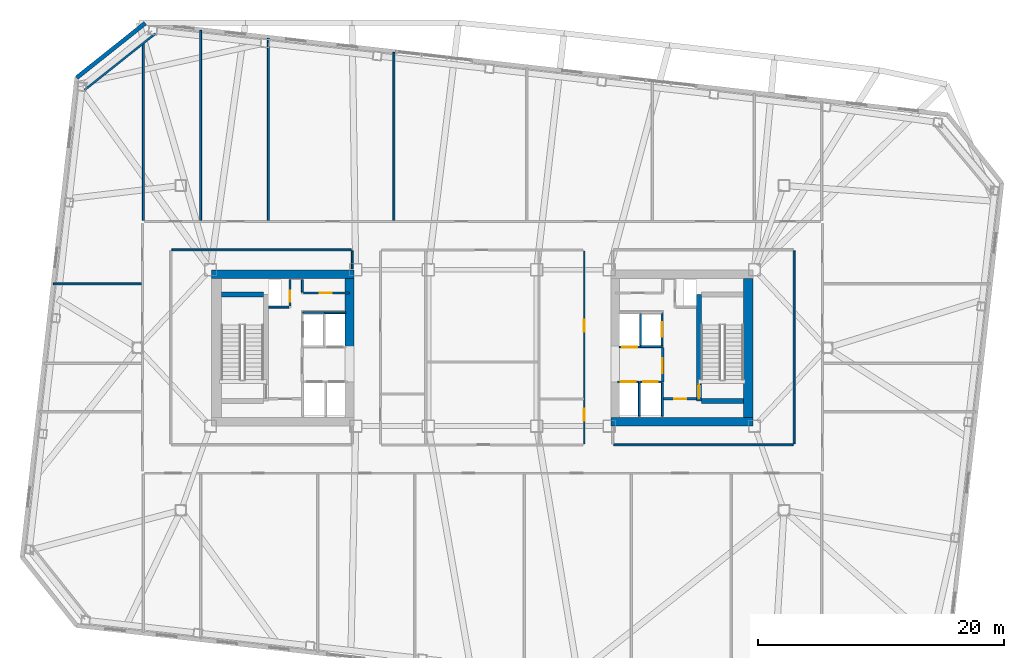
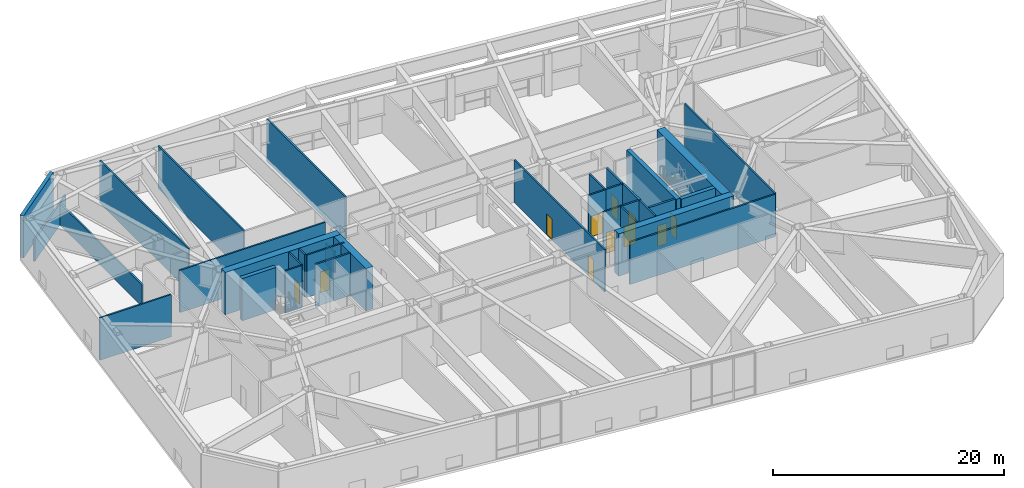
# One storey, part 12 of 19: 35 walls, 11 doors, 11 openings.
"""IFC4 building model written with IfcOpenShell, lengths in metres."""

from ifc_helpers import new_model, si_unit, direction, frame, frame_2d, origin, place, context, subcontext, project, spatial, rectangle, extrude, material, layer, layer_set, type_object, element, fill, save


model = new_model("IFC4")

# Units and contexts
model_context = context("Model", 3, precision=1e-05, world=origin(), true_north=direction((0.0, 1.0)))
body_context = subcontext(model_context, "Body", "Model", "MODEL_VIEW")
ifc_project = project(units=[si_unit("LENGTHUNIT", "METRE"), si_unit("AREAUNIT", "SQUARE_METRE"), si_unit("VOLUMEUNIT", "CUBIC_METRE"), si_unit("PLANEANGLEUNIT", "RADIAN"), si_unit("MASSUNIT", "GRAM", prefix="KILO")], contexts=[model_context])

# Site, building, storey
site_placement = place(None, origin())
site = spatial("IfcSite", under=ifc_project, at=site_placement, CompositionType="ELEMENT")
building_placement = place(site_placement, origin())
building = spatial("IfcBuilding", under=site, at=building_placement, Name="Tavrogorsk Clinical Tower", CompositionType="ELEMENT")
storey_placement = place(building_placement, frame((0.0, 0.0, 141.39990234375)))
storey = spatial("IfcBuildingStorey", under=building, at=storey_placement, Name="L32", CompositionType="ELEMENT", Elevation=141.39990234375)

# Wall, opening, door
ifc_material_1 = material(Name="Concrete B60", Category="concrete")
ifc_layer_1 = layer(ifc_material_1, 0.199951171875)
ifc_layer_set_1 = layer_set([ifc_layer_1], Name="Concrete B60")
wall_type_1 = type_object("IfcWallType", Name="CoreFireWall_200", PredefinedType="SOLIDWALL", material=ifc_layer_set_1)
wall_1_placement = place(storey_placement, frame((14.719970703125, -4.139892578125, 0.0), z_axis=(0.0, 0.0, 1.0), x_axis=(1.0, 0.0, 0.0)))
wall_1 = element("IfcWall", 1, at=wall_1_placement, inside=storey, type_object=wall_type_1, Name="L32 Core East South Core Room Fire Wall", PredefinedType="SOLIDWALL", context=body_context, shape_type="SweptSolid", body=[
    extrude(rectangle(XDim=2.659912109375, YDim=0.199951171875, at=frame_2d((1.330078125, 0.0))), origin(), (0.0, 0.0, 1.0), 4.47998046875),
])
opening_1_placement = place(wall_1_placement, frame((0.8798828125, 0.0, 0.0)))
opening_1 = element("IfcOpeningElement", 2, at=opening_1_placement, cuts=wall_1, Name="Opening ID-02", PredefinedType="OPENING", context=body_context, shape_type="SweptSolid", body=[
    extrude(rectangle(XDim=0.949951171875, YDim=2.199951171875, at=frame_2d((0.47509765625, 1.10009765625))), frame((0.0, 0.10986328125, 0.0), z_axis=(0.0, -1.0, 0.0), x_axis=(1.0, 0.0, 0.0)), (0.0, 0.0, 1.0), 0.219970703125),
])
ifc_material_2 = material(Name="Laminated timber leaf on aluminium frame", Category="wood")
door_type_1 = type_object("IfcDoorType", Name="InteriorDoor_ID02_950", OperationType="NOTDEFINED", PredefinedType="DOOR", material=ifc_material_2)
door_1_placement = place(opening_1_placement, origin())
door_1 = element("IfcDoor", 3, at=door_1_placement, inside=storey, type_object=door_type_1, Name="L32 Core East South Core Room Door", OperationType="SINGLE_SWING_RIGHT", OverallHeight=2.199951171875, OverallWidth=0.949951171875, PredefinedType="DOOR", context=body_context, shape_type="SweptSolid", body=[
    extrude(rectangle(XDim=0.949951171875, YDim=2.199951171875, at=frame_2d((0.47509765625, 1.10009765625))), frame((0.0, 0.02490234375, 0.0), z_axis=(0.0, -1.0, 0.0), x_axis=(1.0, 0.0, 0.0)), (0.0, 0.0, 1.0), 0.050048828125),
])
fill(opening_1, door_1)

wall_2_placement = place(storey_placement, frame((14.639892578125, -2.780029296875, 0.0), z_axis=(0.0, 0.0, 1.0), x_axis=(0.0, 1.0, 0.0)))
wall_2 = element("IfcWall", 4, at=wall_2_placement, inside=storey, type_object=wall_type_1, Name="L32 Core East Firefighting Lobby Fire Wall", PredefinedType="SOLIDWALL", context=body_context, shape_type="SweptSolid", body=[
    extrude(rectangle(XDim=2.820068359375, YDim=0.199951171875, at=frame_2d((1.41015625, 0.0))), origin(), (0.0, 0.0, 1.0), 4.47998046875),
])
opening_2_placement = place(wall_2_placement, frame((0.72998046875, 0.0, 0.0)))
opening_2 = element("IfcOpeningElement", 5, at=opening_2_placement, cuts=wall_2, Name="Opening FD-01", PredefinedType="OPENING", context=body_context, shape_type="SweptSolid", body=[
    extrude(rectangle(XDim=1.199951171875, YDim=2.199951171875, at=frame_2d((0.60009765625, 1.10009765625))), frame((0.0, 0.10986328125, 0.0), z_axis=(0.0, -1.0, 0.0), x_axis=(1.0, 0.0, 0.0)), (0.0, 0.0, 1.0), 0.219970703125),
])
ifc_material_3 = material(Name="Galvanised steel fire-rated door assembly", Category="steel")
door_type_2 = type_object("IfcDoorType", Name="FireDoor_FD01_1200", OperationType="NOTDEFINED", PredefinedType="DOOR", material=ifc_material_3)
door_2_placement = place(opening_2_placement, origin())
door_2 = element("IfcDoor", 6, at=door_2_placement, inside=storey, type_object=door_type_2, Name="L32 Core East Firefighting Lobby Entry Door", OperationType="SINGLE_SWING_RIGHT", OverallHeight=2.199951171875, OverallWidth=1.199951171875, PredefinedType="DOOR", context=body_context, shape_type="SweptSolid", body=[
    extrude(rectangle(XDim=1.199951171875, YDim=2.199951171875, at=frame_2d((0.60009765625, 1.10009765625))), frame((0.0, 0.02490234375, 0.0), z_axis=(0.0, -1.0, 0.0), x_axis=(1.0, 0.0, 0.0)), (0.0, 0.0, 1.0), 0.050048828125),
])
fill(opening_2, door_2)

ifc_material_4 = material(Name="Lightweight concrete blockwork B15", Category="masonry")
ifc_layer_2 = layer(ifc_material_4, 0.159912109375)
ifc_layer_set_2 = layer_set([ifc_layer_2], Name="Lightweight concrete blockwork B15")
wall_type_2 = type_object("IfcWallType", Name="PartitionWall_160", PredefinedType="PARTITIONING", material=ifc_layer_set_2)
wall_3_placement = place(storey_placement, frame((-14.554931640625, 4.4599609375, 0.0), z_axis=(0.0, 0.0, 1.0), x_axis=(1.0, 0.0, 0.0)))
wall_3 = element("IfcWall", 7, at=wall_3_placement, inside=storey, type_object=wall_type_2, Name="L32 Core West Pneumatic Dispatch South Wall", PredefinedType="PARTITIONING", context=body_context, shape_type="SweptSolid", body=[
    extrude(rectangle(XDim=3.7548828125, YDim=0.159912109375, at=frame_2d((1.87744140625, 0.0))), origin(), (0.0, 0.0, 1.0), 4.47998046875),
])
opening_3_placement = place(wall_3_placement, frame((1.35009765625, 0.0, 0.0)))
opening_3 = element("IfcOpeningElement", 8, at=opening_3_placement, cuts=wall_3, Name="Opening ID-02", PredefinedType="OPENING", context=body_context, shape_type="SweptSolid", body=[
    extrude(rectangle(XDim=0.949951171875, YDim=2.199951171875, at=frame_2d((0.47509765625, 1.10009765625))), frame((0.0, 0.08984375, 0.0), z_axis=(0.0, -1.0, 0.0), x_axis=(1.0, 0.0, 0.0)), (0.0, 0.0, 1.0), 0.179931640625),
])
door_3_placement = place(opening_3_placement, origin())
door_3 = element("IfcDoor", 9, at=door_3_placement, inside=storey, type_object=door_type_1, Name="L32 Core West Pneumatic Dispatch Door", OperationType="SINGLE_SWING_LEFT", OverallHeight=2.199951171875, OverallWidth=0.949951171875, PredefinedType="DOOR", context=body_context, shape_type="SweptSolid", body=[
    extrude(rectangle(XDim=0.949951171875, YDim=2.199951171875, at=frame_2d((0.47509765625, 1.10009765625))), frame((0.0, 0.02490234375, 0.0), z_axis=(0.0, -1.0, 0.0), x_axis=(1.0, 0.0, 0.0)), (0.0, 0.0, 1.0), 0.050048828125),
])
fill(opening_3, door_3)

# Walls
wall_4_placement = place(storey_placement, frame((-14.639892578125, 4.544921875, 0.0), z_axis=(0.0, 0.0, 1.0), x_axis=(0.0, 1.0, 0.0)))
element("IfcWall", 10, at=wall_4_placement, inside=storey, type_object=wall_type_2, Name="L32 Core West Pneumatic Dispatch East Wall", PredefinedType="PARTITIONING", context=body_context, shape_type="SweptSolid", body=[
    extrude(rectangle(XDim=1.01513671875, YDim=0.159912109375, at=frame_2d((0.507568359375, 0.0))), origin(), (0.0, 0.0, 1.0), 4.47998046875),
])
wall_5_placement = place(storey_placement, frame((-26.5712890625, 25.534912109375, 0.0), z_axis=(0.0, 0.0, 1.0), x_axis=(-0.782617962887, -0.622502308564, 0.0)))
element("IfcWall", 11, at=wall_5_placement, inside=storey, type_object=wall_type_2, Name="L32 Corner Exoskeleton Brace Furring Wall 3", PredefinedType="PARTITIONING", context=body_context, shape_type="SweptSolid", body=[
    extrude(rectangle(XDim=7.35400390625, YDim=0.159912109375, at=frame_2d((3.677001953125, 0.0))), origin(), (0.0, 0.0, 1.0), 2.275146484375),
])
wall_6_placement = place(storey_placement, frame((10.6650390625, -7.8701171875, 0.0), z_axis=(0.0, 0.0, 1.0), x_axis=(1.0, 0.0, 0.0)))
element("IfcWall", 12, at=wall_6_placement, inside=storey, type_object=wall_type_2, Name="L32 Corridor Partition 08", PredefinedType="PARTITIONING", context=body_context, shape_type="SweptSolid", body=[
    extrude(rectangle(XDim=14.570068359375, YDim=0.159912109375, at=frame_2d((7.28515625, 0.0))), origin(), (0.0, 0.0, 1.0), 4.47998046875),
])
wall_7_placement = place(storey_placement, frame((25.320068359375, -7.784912109375, 0.0), z_axis=(0.0, 0.0, 1.0), x_axis=(0.0, 1.0, 0.0)))
element("IfcWall", 13, at=wall_7_placement, inside=storey, type_object=wall_type_2, Name="L32 Corridor Partition 09", PredefinedType="PARTITIONING", context=body_context, shape_type="SweptSolid", body=[
    extrude(rectangle(XDim=15.669921875, YDim=0.159912109375, at=frame_2d((7.8349609375, 0.0))), origin(), (0.0, 0.0, 1.0), 4.47998046875),
])

# Wall, openings, doors
wall_8_placement = place(storey_placement, frame((8.27001953125, -7.784912109375, 0.0), z_axis=(0.0, 0.0, 1.0), x_axis=(0.0, 1.0, 0.0)))
wall_8 = element("IfcWall", 14, at=wall_8_placement, inside=storey, type_object=wall_type_2, Name="L32 Corridor Partition 10", PredefinedType="PARTITIONING", context=body_context, shape_type="SweptSolid", body=[
    extrude(rectangle(XDim=15.669921875, YDim=0.159912109375, at=frame_2d((7.8349609375, 0.0))), origin(), (0.0, 0.0, 1.0), 4.47998046875),
])
opening_4_placement = place(wall_8_placement, frame((1.879150390625, 0.0, 0.0)))
opening_4 = element("IfcOpeningElement", 15, at=opening_4_placement, cuts=wall_8, Name="Opening ID-02", PredefinedType="OPENING", context=body_context, shape_type="SweptSolid", body=[
    extrude(rectangle(XDim=0.949951171875, YDim=2.199951171875, at=frame_2d((0.47509765625, 1.10009765625))), frame((0.0, 0.08984375, 0.0), z_axis=(0.0, -1.0, 0.0), x_axis=(1.0, 0.0, 0.0)), (0.0, 0.0, 1.0), 0.179931640625),
])
opening_5_placement = place(wall_8_placement, frame((9.11083984375, 0.0, 0.0)))
opening_5 = element("IfcOpeningElement", 16, at=opening_5_placement, cuts=wall_8, Name="Opening ID-02", PredefinedType="OPENING", context=body_context, shape_type="SweptSolid", body=[
    extrude(rectangle(XDim=0.949951171875, YDim=2.199951171875, at=frame_2d((0.47509765625, 1.10009765625))), frame((0.0, 0.08984375, 0.0), z_axis=(0.0, -1.0, 0.0), x_axis=(1.0, 0.0, 0.0)), (0.0, 0.0, 1.0), 0.179931640625),
])
door_4_placement = place(opening_4_placement, origin())
door_4 = element("IfcDoor", 17, at=door_4_placement, inside=storey, type_object=door_type_1, Name="L32 Staff & Visitor Accessible WC Door", OperationType="SINGLE_SWING_LEFT", OverallHeight=2.199951171875, OverallWidth=0.949951171875, PredefinedType="DOOR", context=body_context, shape_type="SweptSolid", body=[
    extrude(rectangle(XDim=0.949951171875, YDim=2.199951171875, at=frame_2d((0.47509765625, 1.10009765625))), frame((0.0, 0.02490234375, 0.0), z_axis=(0.0, -1.0, 0.0), x_axis=(1.0, 0.0, 0.0)), (0.0, 0.0, 1.0), 0.050048828125),
])
fill(opening_4, door_4)
door_5_placement = place(opening_5_placement, origin())
door_5 = element("IfcDoor", 18, at=door_5_placement, inside=storey, type_object=door_type_1, Name="L32 Attending Physician Office Door", OperationType="SINGLE_SWING_RIGHT", OverallHeight=2.199951171875, OverallWidth=0.949951171875, PredefinedType="DOOR", context=body_context, shape_type="SweptSolid", body=[
    extrude(rectangle(XDim=0.949951171875, YDim=2.199951171875, at=frame_2d((0.47509765625, 1.10009765625))), frame((0.0, 0.02490234375, 0.0), z_axis=(0.0, -1.0, 0.0), x_axis=(1.0, 0.0, 0.0)), (0.0, 0.0, 1.0), 0.050048828125),
])
fill(opening_5, door_5)

# Walls
wall_9_placement = place(storey_placement, frame((-10.580078125, 6.419921875, 0.0), z_axis=(0.0, 0.0, 1.0), x_axis=(0.0, 1.0, 0.0)))
element("IfcWall", 19, at=wall_9_placement, inside=storey, type_object=wall_type_2, Name="L32 Corridor Partition 15", PredefinedType="PARTITIONING", context=body_context, shape_type="SweptSolid", body=[
    extrude(rectangle(XDim=1.465087890625, YDim=0.159912109375, at=frame_2d((0.732421875, 0.0))), origin(), (0.0, 0.0, 1.0), 2.275146484375),
])
wall_10_placement = place(storey_placement, frame((-10.6650390625, 7.969970703125, 0.0), z_axis=(0.0, 0.0, 1.0), x_axis=(-1.0, 0.0, 0.0)))
element("IfcWall", 20, at=wall_10_placement, inside=storey, type_object=wall_type_2, Name="L32 Corridor Partition 16", PredefinedType="PARTITIONING", context=body_context, shape_type="SweptSolid", body=[
    extrude(rectangle(XDim=14.570068359375, YDim=0.159912109375, at=frame_2d((7.28515625, 0.0))), origin(), (0.0, 0.0, 1.0), 4.47998046875),
])
wall_11_placement = place(storey_placement, frame((-27.550048828125, 10.364990234375, 0.0), z_axis=(0.0, 0.0, 1.0), x_axis=(0.0, 1.0, 0.0)))
element("IfcWall", 21, at=wall_11_placement, inside=storey, type_object=wall_type_2, Name="L32 NW Wing Closure Partition", PredefinedType="PARTITIONING", context=body_context, shape_type="SweptSolid", body=[
    extrude(rectangle(XDim=14.40869140625, YDim=0.159912109375, at=frame_2d((7.204345703125, 0.0))), origin(), (0.0, 0.0, 1.0), 2.275146484375),
])
wall_12_placement = place(storey_placement, frame((-22.89990234375, 10.364990234375, 0.0), z_axis=(0.0, 0.0, 1.0), x_axis=(0.0, 1.0, 0.0)))
element("IfcWall", 22, at=wall_12_placement, inside=storey, type_object=wall_type_2, Name="L32 North Room Partition 1", PredefinedType="PARTITIONING", context=body_context, shape_type="SweptSolid", body=[
    extrude(rectangle(XDim=15.4365234375, YDim=0.159912109375, at=frame_2d((7.71826171875, 0.0))), origin(), (0.0, 0.0, 1.0), 4.47998046875),
])
wall_13_placement = place(storey_placement, frame((-17.39990234375, 10.364990234375, 0.0), z_axis=(0.0, 0.0, 1.0), x_axis=(0.0, 1.0, 0.0)))
element("IfcWall", 23, at=wall_13_placement, inside=storey, type_object=wall_type_2, Name="L32 North Room Partition 2", PredefinedType="PARTITIONING", context=body_context, shape_type="SweptSolid", body=[
    extrude(rectangle(XDim=14.809814453125, YDim=0.159912109375, at=frame_2d((7.40478515625, 0.0))), origin(), (0.0, 0.0, 1.0), 4.47998046875),
])
wall_14_placement = place(storey_placement, frame((-7.199951171875, 10.364990234375, 0.0), z_axis=(0.0, 0.0, 1.0), x_axis=(0.0, 1.0, 0.0)))
element("IfcWall", 24, at=wall_14_placement, inside=storey, type_object=wall_type_2, Name="L32 North Room Partition 3", PredefinedType="PARTITIONING", context=body_context, shape_type="SweptSolid", body=[
    extrude(rectangle(XDim=13.647705078125, YDim=0.159912109375, at=frame_2d((6.82373046875, 0.0))), origin(), (0.0, 0.0, 1.0), 4.47998046875),
])
wall_15_placement = place(storey_placement, frame((-34.857177734375, 5.199951171875, 0.0), z_axis=(0.0, 0.0, 1.0), x_axis=(1.0, 0.0, 0.0)))
element("IfcWall", 25, at=wall_15_placement, inside=storey, type_object=wall_type_2, Name="L32 W Wing Divider 3", PredefinedType="PARTITIONING", context=body_context, shape_type="SweptSolid", body=[
    extrude(rectangle(XDim=7.14208984375, YDim=0.159912109375, at=frame_2d((3.571044921875, 0.0))), origin(), (0.0, 0.0, 1.0), 4.47998046875),
])
ifc_material_5 = material(Name="Precast concrete B45 with limestone cladding", Category="masonry")
ifc_layer_3 = layer(ifc_material_5, 0.340087890625)
ifc_layer_set_3 = layer_set([ifc_layer_3], Name="Precast concrete B45 with limestone cladding")
wall_type_3 = type_object("IfcWallType", Name="PrecastLimestoneWall_340", PredefinedType="STANDARD", material=ifc_layer_set_3)
wall_16_placement = place(storey_placement, frame((-27.40087890625, 26.384765625, 0.0), z_axis=(0.0, 0.0, 1.0), x_axis=(-0.78261359446, -0.622507800567, 0.0)))
element("IfcWall", 26, at=wall_16_placement, inside=storey, type_object=wall_type_3, Name="L32 Chamfered Corner Wall 3", PredefinedType="STANDARD", context=body_context, shape_type="SweptSolid", body=[
    extrude(rectangle(XDim=7.113525390625, YDim=0.340087890625, at=frame_2d((3.556640625, 0.0))), origin(), (0.0, 0.0, 1.0), 4.47998046875),
])
ifc_material_6 = material(Name="Lightweight concrete blockwork B25", Category="masonry")
ifc_layer_4 = layer(ifc_material_6, 0.159912109375)
ifc_layer_set_4 = layer_set([ifc_layer_4], Name="Lightweight concrete blockwork B25")
wall_type_4 = type_object("IfcWallType", Name="ShaftWall_160", PredefinedType="PARTITIONING", material=ifc_layer_set_4)
wall_17_placement = place(storey_placement, frame((-14.60009765625, 2.8798828125, 0.0), z_axis=(0.0, 0.0, 1.0), x_axis=(1.0, 0.0, 0.0)))
element("IfcWall", 27, at=wall_17_placement, inside=storey, type_object=wall_type_4, Name="L32 FFL-W Shaft North Wall", PredefinedType="PARTITIONING", context=body_context, shape_type="SweptSolid", body=[
    extrude(rectangle(XDim=1.760009765625, YDim=0.159912109375, at=frame_2d((0.8798828125, 0.0))), origin(), (0.0, 0.0, 1.0), 4.47998046875),
])
wall_18_placement = place(storey_placement, frame((-12.820068359375, 2.860107421875, 0.0), z_axis=(0.0, 0.0, 1.0), x_axis=(1.0, 0.0, 0.0)))
element("IfcWall", 28, at=wall_18_placement, inside=storey, type_object=wall_type_4, Name="L32 LP-H1 High-Zone Lift Rear Wall", PredefinedType="PARTITIONING", context=body_context, shape_type="SweptSolid", body=[
    extrude(rectangle(XDim=1.719970703125, YDim=0.159912109375, at=frame_2d((0.85986328125, 0.0))), origin(), (0.0, 0.0, 1.0), 4.47998046875),
])

# Wall, opening, door
wall_19_placement = place(storey_placement, frame((14.60009765625, 0.1201171875, 0.0), z_axis=(0.0, 0.0, 1.0), x_axis=(0.0, 1.0, 0.0)))
wall_19 = element("IfcWall", 29, at=wall_19_placement, inside=storey, type_object=wall_type_4, Name="L32 FFL-E Firefighting Lift Front Wall", PredefinedType="PARTITIONING", context=body_context, shape_type="SweptSolid", body=[
    extrude(rectangle(XDim=2.739990234375, YDim=0.159912109375, at=frame_2d((1.3701171875, 0.0))), origin(), (0.0, 0.0, 1.0), 4.47998046875),
])
opening_6_placement = place(wall_19_placement, frame((0.77001953125, 0.0, 0.0)))
opening_6 = element("IfcOpeningElement", 30, at=opening_6_placement, cuts=wall_19, Name="Opening LD", PredefinedType="OPENING", context=body_context, shape_type="SweptSolid", body=[
    extrude(rectangle(XDim=1.199951171875, YDim=2.199951171875, at=frame_2d((0.60009765625, 1.10009765625))), frame((0.0, 0.08984375, 0.0), z_axis=(0.0, -1.0, 0.0), x_axis=(1.0, 0.0, 0.0)), (0.0, 0.0, 1.0), 0.179931640625),
])
ifc_material_7 = material(Name="Brushed stainless steel AISI 304 sliding doors", Category="steel")
door_type_3 = type_object("IfcDoorType", Name="LiftLandingDoor_LD_1200", OperationType="SLIDING_TO_LEFT", PredefinedType="DOOR", material=ifc_material_7)
door_6_placement = place(opening_6_placement, origin())
door_6 = element("IfcDoor", 31, at=door_6_placement, inside=storey, type_object=door_type_3, Name="L32 FFL-E Sliding Lift Landing Door", OperationType="SLIDING_TO_LEFT", OverallHeight=2.199951171875, OverallWidth=1.199951171875, PredefinedType="DOOR", context=body_context, shape_type="SweptSolid", body=[
    extrude(rectangle(XDim=1.199951171875, YDim=2.199951171875, at=frame_2d((0.60009765625, 1.10009765625))), frame((0.0, 0.02490234375, 0.0), z_axis=(0.0, -1.0, 0.0), x_axis=(1.0, 0.0, 0.0)), (0.0, 0.0, 1.0), 0.050048828125),
])
fill(opening_6, door_6)

# Walls
wall_20_placement = place(storey_placement, frame((12.840087890625, 0.10009765625, 0.0), z_axis=(0.0, 0.0, 1.0), x_axis=(1.0, 0.0, 0.0)))
element("IfcWall", 32, at=wall_20_placement, inside=storey, type_object=wall_type_4, Name="L32 FFL-E Shaft South Wall", PredefinedType="PARTITIONING", context=body_context, shape_type="SweptSolid", body=[
    extrude(rectangle(XDim=1.760009765625, YDim=0.159912109375, at=frame_2d((0.8798828125, 0.0))), origin(), (0.0, 0.0, 1.0), 4.47998046875),
])
wall_21_placement = place(storey_placement, frame((12.840087890625, 0.179931640625, 0.0), z_axis=(0.0, 0.0, 1.0), x_axis=(0.0, 1.0, 0.0)))
element("IfcWall", 33, at=wall_21_placement, inside=storey, type_object=wall_type_4, Name="L32 FFL-E Shaft Back Wall", PredefinedType="PARTITIONING", context=body_context, shape_type="SweptSolid", body=[
    extrude(rectangle(XDim=2.6201171875, YDim=0.159912109375, at=frame_2d((1.31005859375, 0.0))), origin(), (0.0, 0.0, 1.0), 4.47998046875),
])

# Wall, opening, door
wall_22_placement = place(storey_placement, frame((12.77001953125, -2.75, 0.0), z_axis=(0.0, 0.0, 1.0), x_axis=(1.0, 0.0, 0.0)))
wall_22 = element("IfcWall", 34, at=wall_22_placement, inside=storey, type_object=wall_type_4, Name="L32 LP-L2 Lift Shaft Portal Wall", PredefinedType="PARTITIONING", context=body_context, shape_type="SweptSolid", body=[
    extrude(rectangle(XDim=1.760009765625, YDim=0.159912109375, at=frame_2d((0.8798828125, 0.0))), origin(), (0.0, 0.0, 1.0), 4.47998046875),
])
opening_7_placement = place(wall_22_placement, frame((0.280029296875, 0.0, 0.0)))
opening_7 = element("IfcOpeningElement", 35, at=opening_7_placement, cuts=wall_22, Name="Opening LD", PredefinedType="OPENING", context=body_context, shape_type="SweptSolid", body=[
    extrude(rectangle(XDim=1.199951171875, YDim=2.199951171875, at=frame_2d((0.60009765625, 1.10009765625))), frame((0.0, 0.08984375, 0.0), z_axis=(0.0, -1.0, 0.0), x_axis=(1.0, 0.0, 0.0)), (0.0, 0.0, 1.0), 0.179931640625),
])
door_7_placement = place(opening_7_placement, origin())
door_7 = element("IfcDoor", 36, at=door_7_placement, inside=storey, type_object=door_type_3, Name="L32 LP-L2 Sliding Lift Landing Door", OperationType="SLIDING_TO_LEFT", OverallHeight=2.199951171875, OverallWidth=1.199951171875, PredefinedType="DOOR", context=body_context, shape_type="SweptSolid", body=[
    extrude(rectangle(XDim=1.199951171875, YDim=2.199951171875, at=frame_2d((0.60009765625, 1.10009765625))), frame((0.0, 0.02490234375, 0.0), z_axis=(0.0, -1.0, 0.0), x_axis=(1.0, 0.0, 0.0)), (0.0, 0.0, 1.0), 0.050048828125),
])
fill(opening_7, door_7)

# Walls
for number, where, z_axis, x_axis, name in (
    (37, (12.75, -5.5400390625, 0.0), (0.0, 0.0, 1.0), (0.0, 1.0, 0.0), "L32 LP-L2 Lift Hoistway Divider Wall"),
    (38, (14.610107421875, -5.5400390625, 0.0), (0.0, 0.0, 1.0), (0.0, 1.0, 0.0), "L32 LP-L2 Lift Hoistway Outer Cheek Wall"),
):
    element("IfcWall", number, at=place(storey_placement, frame(where, z_axis=z_axis, x_axis=x_axis)), inside=storey, type_object=wall_type_4, Name=name, PredefinedType="PARTITIONING", context=body_context, shape_type="SweptSolid", body=[
        extrude(rectangle(XDim=2.699951171875, YDim=0.159912109375, at=frame_2d((1.35009765625, 0.0))), origin(), (0.0, 0.0, 1.0), 4.47998046875),
    ])

# Wall, opening, door
wall_23_placement = place(storey_placement, frame((10.969970703125, -2.75, 0.0), z_axis=(0.0, 0.0, 1.0), x_axis=(1.0, 0.0, 0.0)))
wall_23 = element("IfcWall", 39, at=wall_23_placement, inside=storey, type_object=wall_type_4, Name="L32 LP-M2 Lift Shaft Portal Wall", PredefinedType="PARTITIONING", context=body_context, shape_type="SweptSolid", body=[
    extrude(rectangle(XDim=1.760009765625, YDim=0.159912109375, at=frame_2d((0.8798828125, 0.0))), origin(), (0.0, 0.0, 1.0), 4.47998046875),
])
opening_8_placement = place(wall_23_placement, frame((0.280029296875, 0.0, 0.0)))
opening_8 = element("IfcOpeningElement", 40, at=opening_8_placement, cuts=wall_23, Name="Opening LD", PredefinedType="OPENING", context=body_context, shape_type="SweptSolid", body=[
    extrude(rectangle(XDim=1.199951171875, YDim=2.199951171875, at=frame_2d((0.60009765625, 1.10009765625))), frame((0.0, 0.08984375, 0.0), z_axis=(0.0, -1.0, 0.0), x_axis=(1.0, 0.0, 0.0)), (0.0, 0.0, 1.0), 0.179931640625),
])
door_8_placement = place(opening_8_placement, origin())
door_8 = element("IfcDoor", 41, at=door_8_placement, inside=storey, type_object=door_type_3, Name="L32 LP-M2 Sliding Lift Landing Door", OperationType="SLIDING_TO_LEFT", OverallHeight=2.199951171875, OverallWidth=1.199951171875, PredefinedType="DOOR", context=body_context, shape_type="SweptSolid", body=[
    extrude(rectangle(XDim=1.199951171875, YDim=2.199951171875, at=frame_2d((0.60009765625, 1.10009765625))), frame((0.0, 0.02490234375, 0.0), z_axis=(0.0, -1.0, 0.0), x_axis=(1.0, 0.0, 0.0)), (0.0, 0.0, 1.0), 0.050048828125),
])
fill(opening_8, door_8)

wall_24_placement = place(storey_placement, frame((11.10009765625, 0.06005859375, 0.0), z_axis=(0.0, 0.0, 1.0), x_axis=(1.0, 0.0, 0.0)))
wall_24 = element("IfcWall", 42, at=wall_24_placement, inside=storey, type_object=wall_type_4, Name="L32 LP-H2 High-Zone Lift Portal Wall", PredefinedType="PARTITIONING", context=body_context, shape_type="SweptSolid", body=[
    extrude(rectangle(XDim=1.719970703125, YDim=0.159912109375, at=frame_2d((0.85986328125, 0.0))), origin(), (0.0, 0.0, 1.0), 4.47998046875),
])
opening_9_placement = place(wall_24_placement, frame((0.260009765625, 0.0, 0.0)))
opening_9 = element("IfcOpeningElement", 43, at=opening_9_placement, cuts=wall_24, Name="Opening LD", PredefinedType="OPENING", context=body_context, shape_type="SweptSolid", body=[
    extrude(rectangle(XDim=1.199951171875, YDim=2.199951171875, at=frame_2d((0.60009765625, 1.10009765625))), frame((0.0, 0.08984375, 0.0), z_axis=(0.0, -1.0, 0.0), x_axis=(1.0, 0.0, 0.0)), (0.0, 0.0, 1.0), 0.179931640625),
])
door_9_placement = place(opening_9_placement, origin())
door_9 = element("IfcDoor", 44, at=door_9_placement, inside=storey, type_object=door_type_3, Name="L32 LP-H2 Sliding Lift Landing Door", OperationType="SLIDING_TO_LEFT", OverallHeight=2.199951171875, OverallWidth=1.199951171875, PredefinedType="DOOR", context=body_context, shape_type="SweptSolid", body=[
    extrude(rectangle(XDim=1.199951171875, YDim=2.199951171875, at=frame_2d((0.60009765625, 1.10009765625))), frame((0.0, 0.02490234375, 0.0), z_axis=(0.0, -1.0, 0.0), x_axis=(1.0, 0.0, 0.0)), (0.0, 0.0, 1.0), 0.050048828125),
])
fill(opening_9, door_9)

wall_25_placement = place(storey_placement, frame((-15.639892578125, 3.405029296875, 0.0), z_axis=(0.0, 0.0, 1.0), x_axis=(0.0, 1.0, 0.0)))
wall_25 = element("IfcWall", 45, at=wall_25_placement, inside=storey, type_object=wall_type_4, Name="L32 Core West Riser West Wall", PredefinedType="PARTITIONING", context=body_context, shape_type="SweptSolid", body=[
    extrude(rectangle(XDim=2.155029296875, YDim=0.159912109375, at=frame_2d((1.07763671875, 0.0))), origin(), (0.0, 0.0, 1.0), 4.47998046875),
])
opening_10_placement = place(wall_25_placement, frame((0.35009765625, 0.0, 0.0)))
opening_10 = element("IfcOpeningElement", 46, at=opening_10_placement, cuts=wall_25, Name="Opening FD-02", PredefinedType="OPENING", context=body_context, shape_type="SweptSolid", body=[
    extrude(rectangle(XDim=0.89990234375, YDim=2.199951171875, at=frame_2d((0.449951171875, 1.10009765625))), frame((0.0, 0.08984375, 0.0), z_axis=(0.0, -1.0, 0.0), x_axis=(1.0, 0.0, 0.0)), (0.0, 0.0, 1.0), 0.179931640625),
])
ifc_material_8 = material(Name="Galvanised steel fire-rated door assembly", Category="steel")
door_type_4 = type_object("IfcDoorType", Name="FireDoor_FD02_900", OperationType="NOTDEFINED", PredefinedType="DOOR", material=ifc_material_8)
door_10_placement = place(opening_10_placement, origin())
door_10 = element("IfcDoor", 47, at=door_10_placement, inside=storey, type_object=door_type_4, Name="L32 Core West Electrical Riser Access Door", OperationType="SINGLE_SWING_LEFT", OverallHeight=2.199951171875, OverallWidth=0.89990234375, PredefinedType="DOOR", context=body_context, shape_type="SweptSolid", body=[
    extrude(rectangle(XDim=0.89990234375, YDim=2.199951171875, at=frame_2d((0.449951171875, 1.10009765625))), frame((0.0, 0.02490234375, 0.0), z_axis=(0.0, -1.0, 0.0), x_axis=(1.0, 0.0, 0.0)), (0.0, 0.0, 1.0), 0.050048828125),
])
fill(opening_10, door_10)

# Walls
wall_26_placement = place(storey_placement, frame((-17.3798828125, 3.320068359375, 0.0), z_axis=(0.0, 0.0, 1.0), x_axis=(1.0, 0.0, 0.0)))
element("IfcWall", 48, at=wall_26_placement, inside=storey, type_object=wall_type_4, Name="L32 Core West Riser South Wall", PredefinedType="PARTITIONING", context=body_context, shape_type="SweptSolid", body=[
    extrude(rectangle(XDim=1.65478515625, YDim=0.159912109375, at=frame_2d((0.827392578125, 0.0))), origin(), (0.0, 0.0, 1.0), 4.47998046875),
])
ifc_material_9 = material(Name="Concrete B80", Category="concrete")
ifc_layer_5 = layer(ifc_material_9, 0.39990234375)
ifc_layer_set_5 = layer_set([ifc_layer_5], Name="Concrete B80")
wall_type_5 = type_object("IfcWallType", Name="ShearWall_400", PredefinedType="SHEAR", material=ifc_layer_set_5)
wall_27_placement = place(storey_placement, frame((-21.199951171875, 4.324951171875, 0.0), z_axis=(0.0, 0.0, 1.0), x_axis=(1.0, 0.0, 0.0)))
element("IfcWall", 49, at=wall_27_placement, inside=storey, type_object=wall_type_5, Name="L32 Core West Stair Shaft North Shear Wall", PredefinedType="SHEAR", context=body_context, shape_type="SweptSolid", body=[
    extrude(rectangle(XDim=3.39990234375, YDim=0.39990234375, at=frame_2d((1.699951171875, 0.0))), origin(), (0.0, 0.0, 1.0), 4.47998046875),
])

# Wall, opening, door
wall_28_placement = place(storey_placement, frame((17.60009765625, -4.324951171875, 0.0), z_axis=(0.0, 0.0, 1.0), x_axis=(0.0, 1.0, 0.0)))
wall_28 = element("IfcWall", 50, at=wall_28_placement, inside=storey, type_object=wall_type_5, Name="L32 Core East Stair Shaft Inner Shear Wall", PredefinedType="SHEAR", context=body_context, shape_type="SweptSolid", body=[
    extrude(rectangle(XDim=8.64990234375, YDim=0.39990234375, at=frame_2d((4.324951171875, 0.0))), origin(), (0.0, 0.0, 1.0), 4.47998046875),
])
opening_11_placement = place(wall_28_placement, frame((0.25, 0.0, 0.0)))
opening_11 = element("IfcOpeningElement", 51, at=opening_11_placement, cuts=wall_28, Name="Opening SD-01", PredefinedType="OPENING", context=body_context, shape_type="SweptSolid", body=[
    extrude(rectangle(XDim=1.10009765625, YDim=2.199951171875, at=frame_2d((0.550048828125, 1.10009765625))), frame((0.0, 0.2099609375, 0.0), z_axis=(0.0, -1.0, 0.0), x_axis=(1.0, 0.0, 0.0)), (0.0, 0.0, 1.0), 0.419921875),
])
ifc_material_10 = material(Name="Galvanised steel smoke-tight fire door assembly", Category="steel")
door_type_5 = type_object("IfcDoorType", Name="StairFireDoor_SD01_1100", OperationType="NOTDEFINED", PredefinedType="DOOR", material=ifc_material_10)
door_11_placement = place(opening_11_placement, origin())
door_11 = element("IfcDoor", 52, at=door_11_placement, inside=storey, type_object=door_type_5, Name="L32 ST-E Exit Stair Door", OperationType="SINGLE_SWING_RIGHT", OverallHeight=2.199951171875, OverallWidth=1.10009765625, PredefinedType="DOOR", context=body_context, shape_type="SweptSolid", body=[
    extrude(rectangle(XDim=1.10009765625, YDim=2.199951171875, at=frame_2d((0.550048828125, 1.10009765625))), frame((0.0, 0.02490234375, 0.0), z_axis=(0.0, -1.0, 0.0), x_axis=(1.0, 0.0, 0.0)), (0.0, 0.0, 1.0), 0.050048828125),
])
fill(opening_11, door_11)

# Walls
wall_29_placement = place(storey_placement, frame((17.800048828125, -4.324951171875, 0.0), z_axis=(0.0, 0.0, 1.0), x_axis=(1.0, 0.0, 0.0)))
element("IfcWall", 53, at=wall_29_placement, inside=storey, type_object=wall_type_5, Name="L32 Core East Stair Shaft South Shear Wall", PredefinedType="SHEAR", context=body_context, shape_type="SweptSolid", body=[
    extrude(rectangle(XDim=3.39990234375, YDim=0.39990234375, at=frame_2d((1.699951171875, 0.0))), origin(), (0.0, 0.0, 1.0), 4.47998046875),
])
ifc_material_11 = material(Name="Concrete B80", Category="concrete")
ifc_layer_6 = layer(ifc_material_11, 0.699951171875)
ifc_layer_set_6 = layer_set([ifc_layer_6], Name="Concrete B80")
wall_type_6 = type_object("IfcWallType", Name="ShearWall_700", PredefinedType="SHEAR", material=ifc_layer_set_6)
wall_30_placement = place(storey_placement, frame((-22.0, 6.0, 0.0), z_axis=(0.0, 0.0, 1.0), x_axis=(1.0, 0.0, 0.0)))
element("IfcWall", 54, at=wall_30_placement, inside=storey, type_object=wall_type_6, Name="L32 Core West North Shear Wall", PredefinedType="SHEAR", context=body_context, shape_type="SweptSolid", body=[
    extrude(rectangle(XDim=11.550048828125, YDim=0.699951171875, at=frame_2d((5.77490234375, 0.0))), origin(), (0.0, 0.0, 1.0), 4.47998046875),
])
wall_31_placement = place(storey_placement, frame((-10.800048828125, 0.050048828125, 0.0), z_axis=(0.0, 0.0, 1.0), x_axis=(0.0, 1.0, 0.0)))
element("IfcWall", 55, at=wall_31_placement, inside=storey, type_object=wall_type_6, Name="L32 Core West Inner North Pier", PredefinedType="SHEAR", context=body_context, shape_type="SweptSolid", body=[
    extrude(rectangle(XDim=5.599853515625, YDim=0.699951171875, at=frame_2d((2.7998046875, 0.0))), origin(), (0.0, 0.0, 1.0), 4.47998046875),
])
wall_32_placement = place(storey_placement, frame((10.449951171875, -6.0, 0.0), z_axis=(0.0, 0.0, 1.0), x_axis=(1.0, 0.0, 0.0)))
element("IfcWall", 56, at=wall_32_placement, inside=storey, type_object=wall_type_6, Name="L32 Core East South Shear Wall", PredefinedType="SHEAR", context=body_context, shape_type="SweptSolid", body=[
    extrude(rectangle(XDim=11.550048828125, YDim=0.699951171875, at=frame_2d((5.77490234375, 0.0))), origin(), (0.0, 0.0, 1.0), 4.47998046875),
])
ifc_material_12 = material(Name="Concrete B80", Category="concrete")
ifc_layer_7 = layer(ifc_material_12, 0.800048828125)
ifc_layer_set_7 = layer_set([ifc_layer_7], Name="Concrete B80")
wall_type_7 = type_object("IfcWallType", Name="ShearWall_800", PredefinedType="SHEAR", material=ifc_layer_set_7)
wall_33_placement = place(storey_placement, frame((21.60009765625, -5.64990234375, 0.0), z_axis=(0.0, 0.0, 1.0), x_axis=(0.0, 1.0, 0.0)))
element("IfcWall", 57, at=wall_33_placement, inside=storey, type_object=wall_type_7, Name="L32 Core East End Shear Wall", PredefinedType="SHEAR", context=body_context, shape_type="SweptSolid", body=[
    extrude(rectangle(XDim=11.2998046875, YDim=0.800048828125, at=frame_2d((5.64990234375, 0.0))), origin(), (0.0, 0.0, 1.0), 4.47998046875),
])

save(model, "model.ifc")
